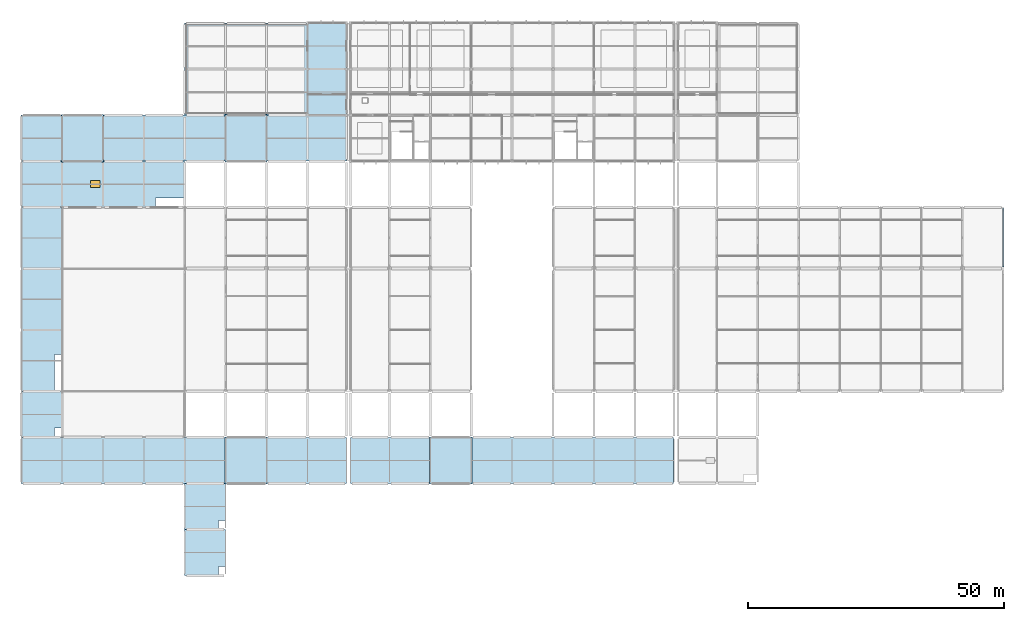
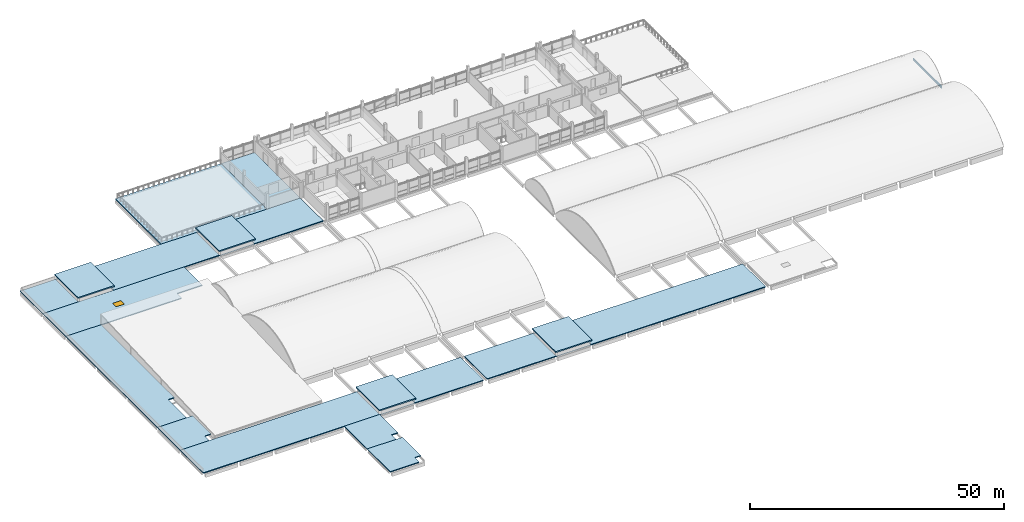
# One storey, part 42 of 57: 14 slabs, 1 beam, 1 window, 1 opening.
"""IFC4 building model written with IfcOpenShell, lengths in metres."""

import ifcopenshell
import ifcopenshell.guid

model = None  # the IFC model being written
_history = None  # IfcOwnerHistory: only IFC2X3 demands one
_inside = {}  # id of a spatial element -> (the spatial element, [elements in it])
_under = {}  # id of a project, library or spatial element -> (it, [spatial elements below it])
_declared = {}  # id of a project -> (the project, [libraries it declares])
_typed = {}  # id of a type object -> (the type object, [elements of that type])
_made_of = {}  # id of a material, layer set ... -> (it, [elements and type objects made of it])


def new_model(schema):
    """Start an empty IFC model of exactly this schema.

    Asked for "IFC4X3", IfcOpenShell would pick the latest addendum, in which some entities
    have other attributes; the version numbers below select the first issue.
    IFC2X3 requires an IfcOwnerHistory on every rooted entity: one is made here for all.
    """
    global model, _history
    if schema == "IFC4X3":
        model = ifcopenshell.file(schema_version=(4, 3, 0, 0))
    else:
        model = ifcopenshell.file(schema=schema)
    _inside.clear()
    _under.clear()
    _declared.clear()
    _typed.clear()
    _made_of.clear()
    _history = None
    if model.schema == "IFC2X3":
        org = make("IfcOrganization", Name="unknown")
        user = make(
            "IfcPersonAndOrganization",
            ThePerson=make("IfcPerson", FamilyName="unknown"),
            TheOrganization=org,
        )
        app = make(
            "IfcApplication",
            ApplicationDeveloper=org,
            Version="unknown",
            ApplicationFullName="unknown",
            ApplicationIdentifier="unknown",
        )
        _history = make(
            "IfcOwnerHistory",
            OwningUser=user,
            OwningApplication=app,
            ChangeAction="ADDED",
            CreationDate=0,
        )
    return model


def make(cls, **values):
    """One entity of the class cls with the attributes given. An attribute that is None is left unset."""
    return model.create_entity(
        cls, **{name: value for name, value in values.items() if value is not None}
    )


def rooted(cls, **values):
    """An entity with a GlobalId (a new one), such as an element, a storey or a relation."""
    return make(cls, GlobalId=ifcopenshell.guid.new(), OwnerHistory=_history, **values)


def si_unit(unit_type, name, prefix=None):
    """IfcSIUnit, for example si_unit("LENGTHUNIT", "METRE", prefix="MILLI")."""
    return make("IfcSIUnit", UnitType=unit_type, Prefix=prefix, Name=name)


def assignment(units):
    """IfcUnitAssignment: the units of a project."""
    return None if units is None else make("IfcUnitAssignment", Units=units)


def point(xyz):
    """IfcCartesianPoint."""
    return None if xyz is None else make("IfcCartesianPoint", Coordinates=xyz)


def direction(xyz):
    """IfcDirection."""
    return None if xyz is None else make("IfcDirection", DirectionRatios=xyz)


def frame(location, z_axis=None, x_axis=None):
    """IfcAxis2Placement3D, a coordinate frame: its origin and axes. An axis left out is left unset."""
    return make(
        "IfcAxis2Placement3D",
        Location=point(location),
        Axis=direction(z_axis),
        RefDirection=direction(x_axis),
    )


def frame_2d(location, x_axis=None):
    """IfcAxis2Placement2D, a coordinate frame in the plane: its origin and x axis."""
    return make(
        "IfcAxis2Placement2D", Location=point(location), RefDirection=direction(x_axis)
    )


def origin():
    """The frame at (0, 0, 0) with its axes left unset."""
    return frame((0.0, 0.0, 0.0))


def origin_2d():
    """The frame at (0, 0) in the plane with its x axis left unset."""
    return frame_2d((0.0, 0.0))


def place(relative_to, where):
    """IfcLocalPlacement: puts the frame where relative to a parent placement (None: the world)."""
    return make(
        "IfcLocalPlacement", PlacementRelTo=relative_to, RelativePlacement=where
    )


def context(
    kind, dimensions, precision=None, world=None, true_north=None, identifier=None
):
    """IfcGeometricRepresentationContext, for example the 3D "Model" context."""
    return make(
        "IfcGeometricRepresentationContext",
        ContextIdentifier=identifier,
        ContextType=kind,
        CoordinateSpaceDimension=dimensions,
        Precision=precision,
        WorldCoordinateSystem=world,
        TrueNorth=true_north,
    )


def subcontext(parent, identifier, kind, view, scale=None):
    """IfcGeometricRepresentationSubContext, for example "Body" below "Model"."""
    return make(
        "IfcGeometricRepresentationSubContext",
        ContextIdentifier=identifier,
        ContextType=kind,
        ParentContext=parent,
        TargetScale=scale,
        TargetView=view,
    )


def project(units=None, contexts=None):
    """IfcProject with its units and contexts."""
    return rooted(
        "IfcProject",
        Name="project",
        RepresentationContexts=contexts,
        UnitsInContext=assignment(units),
    )


def spatial(cls, under=None, at=None, **own):
    """A site, building, storey or space (cls), placed at a placement, below another one or the project."""
    s = rooted(cls, ObjectPlacement=at, **own)
    if under is not None:
        _under.setdefault(under.id(), (under, []))[1].append(s)
    return s


def polyline(points):
    """IfcPolyline through the points."""
    return make("IfcPolyline", Points=[point(p) for p in points])


def profile(cls, at=None, kind="AREA", **sizes):
    """A parametric profile (cls). Its sizes go by their IFC names, for example OverallWidth=200.0."""
    return make(cls, ProfileType=kind, Position=at, **sizes)


def rectangle(**sizes):
    """IfcRectangleProfileDef."""
    return profile("IfcRectangleProfileDef", **sizes)


def i_section(**sizes):
    """IfcIShapeProfileDef."""
    return profile("IfcIShapeProfileDef", **sizes)


def outline(outer, holes=None, kind="AREA"):
    """IfcArbitraryClosedProfileDef: a profile drawn as a closed curve; with holes, ...WithVoids."""
    if holes is None:
        return make("IfcArbitraryClosedProfileDef", ProfileType=kind, OuterCurve=outer)
    return make(
        "IfcArbitraryProfileDefWithVoids",
        ProfileType=kind,
        OuterCurve=outer,
        InnerCurves=holes,
    )


def extrude(swept, where, along, depth):
    """IfcExtrudedAreaSolid: the profile swept, set in the frame where, extruded along a direction by depth."""
    return make(
        "IfcExtrudedAreaSolid",
        SweptArea=swept,
        Position=where,
        ExtrudedDirection=direction(along),
        Depth=depth,
    )


def shape(context_of_items, identifier, shape_type, items):
    """IfcShapeRepresentation: the items that make up one representation, for example the "Body"."""
    return make(
        "IfcShapeRepresentation",
        ContextOfItems=context_of_items,
        RepresentationIdentifier=identifier,
        RepresentationType=shape_type,
        Items=items,
    )


def material(Name=None, Category=None):
    """IfcMaterial."""
    return make("IfcMaterial", Name=Name, Category=Category)


def layer(
    of_material, thickness, ventilated=None, Name=None, Category=None, Priority=None
):
    """IfcMaterialLayer: one layer of a wall or slab, of a material (None: an air gap)."""
    return make(
        "IfcMaterialLayer",
        Material=of_material,
        LayerThickness=thickness,
        IsVentilated=ventilated,
        Name=Name,
        Category=Category,
        Priority=Priority,
    )


def layer_set(layers, Name=None):
    """IfcMaterialLayerSet."""
    return make("IfcMaterialLayerSet", MaterialLayers=layers, LayerSetName=Name)


def material_profile(
    of_material, cross_section, Name=None, Category=None, Priority=None
):
    """IfcMaterialProfile: a cross section and its material."""
    return make(
        "IfcMaterialProfile",
        Name=Name,
        Material=of_material,
        Profile=cross_section,
        Priority=Priority,
        Category=Category,
    )


def profile_set(profiles, Name=None, composite=None):
    """IfcMaterialProfileSet."""
    return make(
        "IfcMaterialProfileSet",
        Name=Name,
        MaterialProfiles=profiles,
        CompositeProfile=composite,
    )


def made_of(thing, what):
    """Note that an element or type object is made of a material, layer set ...; save() writes the relation."""
    if what is not None:
        _made_of.setdefault(what.id(), (what, []))[1].append(thing)
    return thing


def type_object(cls, material=None, **own):
    """A type object (cls), such as IfcWallType, which elements share."""
    return made_of(rooted(cls, **own), material)


def element(
    cls,
    number,
    at=None,
    inside=None,
    cuts=None,
    type_object=None,
    material=None,
    context=None,
    identifier="Body",
    shape_type=None,
    held_by="IfcProductDefinitionShape",
    body=None,
    shapes=None,
    **own,
):
    """One element of the class cls, such as IfcWall. Its Tag is "e" and its number.

    at: its placement. inside: the storey or other place that contains it. cuts: it is an
    opening in that element (IfcRelVoidsElement). A single representation is given by context,
    identifier, shape_type and body (its items); several are given by shapes. held_by: the class
    of the entity that holds the representations. save() writes the other relations.
    """
    e = rooted(cls, Tag="e%d" % number, ObjectPlacement=at, **own)
    if body is not None:
        shapes = [shape(context, identifier, shape_type, body)]
    if shapes is not None:
        e.Representation = make(held_by, Representations=shapes)
    if inside is not None:
        _inside.setdefault(inside.id(), (inside, []))[1].append(e)
    if cuts is not None:
        rooted(
            "IfcRelVoidsElement", RelatingBuildingElement=cuts, RelatedOpeningElement=e
        )
    if type_object is not None:
        _typed.setdefault(type_object.id(), (type_object, []))[1].append(e)
    return made_of(e, material)


def fill(opening, filler):
    """IfcRelFillsElement: the door or window that sits in an opening."""
    return rooted(
        "IfcRelFillsElement",
        RelatingOpeningElement=opening,
        RelatedBuildingElement=filler,
    )


def aggregate(whole, parts):
    """IfcRelAggregates: a whole, such as a stair, and the parts it consists of."""
    return rooted("IfcRelAggregates", RelatingObject=whole, RelatedObjects=parts)


def save(model, path):
    """Write the relations noted so far, then the file.

    IfcRelAggregates (storeys below a building ...), IfcRelContainedInSpatialStructure (elements
    in a storey), IfcRelDefinesByType, IfcRelAssociatesMaterial and IfcRelDeclares: one each for
    every whole, place, type object, material and project.
    """
    for whole, parts in _under.values():
        aggregate(whole, parts)
    for where, things in _inside.values():
        rooted(
            "IfcRelContainedInSpatialStructure",
            RelatedElements=things,
            RelatingStructure=where,
        )
    for kind, things in _typed.values():
        rooted("IfcRelDefinesByType", RelatedObjects=things, RelatingType=kind)
    for what, things in _made_of.values():
        rooted("IfcRelAssociatesMaterial", RelatedObjects=things, RelatingMaterial=what)
    for by, libraries in _declared.values():
        rooted("IfcRelDeclares", RelatingContext=by, RelatedDefinitions=libraries)
    model.write(path)


model = new_model("IFC4")

# Units and contexts
model_context = context("Model", 3, precision=1e-05, world=origin(), true_north=direction((0.0, 1.0)))
body_context = subcontext(model_context, "Body", "Model", "MODEL_VIEW")
ifc_project = project(units=[si_unit("LENGTHUNIT", "METRE"), si_unit("AREAUNIT", "SQUARE_METRE"), si_unit("VOLUMEUNIT", "CUBIC_METRE"), si_unit("PLANEANGLEUNIT", "RADIAN"), si_unit("MASSUNIT", "GRAM", prefix="KILO"), si_unit("THERMODYNAMICTEMPERATUREUNIT", "KELVIN"), si_unit("POWERUNIT", "WATT")], contexts=[model_context])

# Site, building, storey
site_placement = place(None, origin())
site = spatial("IfcSite", under=ifc_project, at=site_placement, CompositionType="ELEMENT")
building_placement = place(site_placement, origin())
building = spatial("IfcBuilding", under=site, at=building_placement, Name="Kronsvod Quay Wholesale Market", CompositionType="ELEMENT")
storey_placement = place(building_placement, frame((0.0, 0.0, 13.199951171875)))
storey = spatial("IfcBuildingStorey", under=building, at=storey_placement, Name="L03", CompositionType="ELEMENT", Elevation=13.199951171875)

# Beam
ifc_material_1 = material(Name="Steel S355", Category="steel")
ifc_material_profile = material_profile(ifc_material_1, i_section(OverallWidth=0.198974609375, OverallDepth=0.49609375, WebThickness=0.009033203125, FlangeThickness=0.013916015625, FilletRadius=0.02001953125, at=origin_2d()), Name="50B1")
ifc_profile_set = profile_set([ifc_material_profile], Name="Steel S355")
beam_type = type_object("IfcBeamType", Name="Girder_Steel50B1", PredefinedType="T_BEAM", material=ifc_profile_set)
beam_placement = place(storey_placement, frame((192.0, 78.375, -0.468017578125), z_axis=(0.0, 1.0, 0.0), x_axis=(-1.0, 0.0, 0.0)))
element("IfcBeam", 1, at=beam_placement, inside=storey, type_object=beam_type, Name="BMY-L03-1920-780", PredefinedType="T_BEAM", context=body_context, shape_type="SweptSolid", body=[
    extrude(i_section(OverallWidth=0.198974609375, OverallDepth=0.49609375, WebThickness=0.009033203125, FlangeThickness=0.013916015625, FilletRadius=0.02001953125, at=origin_2d()), origin(), (0.0, 0.0, 1.0), 11.27490234375),
])

# Slabs
ifc_material_2 = material(Name="Precast concrete C40/50", Category="concrete")
ifc_layer_1 = layer(ifc_material_2, 0.219970703125)
ifc_layer_set_1 = layer_set([ifc_layer_1], Name="Precast concrete C40/50")
slab_type_1 = type_object("IfcSlabType", Name="Slab_FlatRoof220", PredefinedType="ROOF", material=ifc_layer_set_1)
slab_1_placement = place(storey_placement, frame((0.0, 0.0, -0.219970703125)))
element("IfcSlab", 2, at=slab_1_placement, inside=storey, type_object=slab_type_1, Name="SLB-L03-142", PredefinedType="ROOF", context=body_context, shape_type="SweptSolid", body=[
    extrude(outline(polyline([(32.0, 18.0), (38.56005859375, 18.0), (38.56005859375, 19.800048828125), (40.0, 19.800048828125), (40.0, 27.0), (32.0, 27.0), (32.0, 18.0)])), origin(), (0.0, 0.0, 1.0), 0.219970703125),
])
slab_2_placement = place(storey_placement, frame((0.0, 0.0, -0.219970703125)))
element("IfcSlab", 3, at=slab_2_placement, inside=storey, type_object=slab_type_1, Name="SLB-L03-143", PredefinedType="ROOF", context=body_context, shape_type="SweptSolid", body=[
    extrude(outline(polyline([(32.0, 27.0), (38.56005859375, 27.0), (38.56005859375, 28.800048828125), (40.0, 28.800048828125), (40.0, 36.0), (32.0, 36.0), (32.0, 27.0)])), origin(), (0.0, 0.0, 1.0), 0.219970703125),
])
slab_3_placement = place(storey_placement, frame((0.0, 0.0, -0.219970703125)))
element("IfcSlab", 4, at=slab_3_placement, inside=storey, type_object=slab_type_1, Name="SLB-L03-144", PredefinedType="ROOF", context=body_context, shape_type="SweptSolid", body=[
    extrude(outline(polyline([(0.0, 36.0), (63.580078125, 36.0), (63.580078125, 45.0), (0.0, 45.0), (0.0, 36.0)]), holes=[polyline([(40.02001953125, 36.02001953125), (47.97998046875, 36.02001953125), (47.97998046875, 44.97998046875), (40.02001953125, 44.97998046875), (40.02001953125, 36.02001953125)])]), origin(), (0.0, 0.0, 1.0), 0.219970703125),
])
slab_4_placement = place(storey_placement, frame((0.0, 0.0, -0.219970703125)))
element("IfcSlab", 5, at=slab_4_placement, inside=storey, type_object=slab_type_1, Name="SLB-L03-145", PredefinedType="ROOF", context=body_context, shape_type="SweptSolid", body=[
    extrude(outline(polyline([(0.0, 45.0), (6.56005859375, 45.0), (6.56005859375, 46.800048828125), (8.0, 46.800048828125), (8.0, 54.0), (0.0, 54.0), (0.0, 45.0)])), origin(), (0.0, 0.0, 1.0), 0.219970703125),
])
slab_5_placement = place(storey_placement, frame((0.0, 0.0, -0.219970703125)))
element("IfcSlab", 6, at=slab_5_placement, inside=storey, type_object=slab_type_1, Name="SLB-L03-146", PredefinedType="ROOF", context=body_context, shape_type="SweptSolid", body=[
    extrude(outline(polyline([(0.0, 54.0), (6.56005859375, 54.0), (6.56005859375, 61.199951171875), (8.0, 61.199951171875), (8.0, 90.0), (0.0, 90.0), (0.0, 54.0)])), origin(), (0.0, 0.0, 1.0), 0.219970703125),
])

# Slab, opening, window
slab_6_placement = place(storey_placement, frame((0.0, 0.0, -0.219970703125)))
slab_6 = element("IfcSlab", 7, at=slab_6_placement, inside=storey, type_object=slab_type_1, Name="SLB-L03-147", PredefinedType="ROOF", context=body_context, shape_type="SweptSolid", body=[
    extrude(outline(polyline([(0.0, 90.0), (26.239990234375, 90.0), (26.239990234375, 91.800048828125), (32.0, 91.800048828125), (32.0, 99.0), (0.0, 99.0), (0.0, 90.0)])), origin(), (0.0, 0.0, 1.0), 0.219970703125),
])
opening_placement = place(slab_6_placement, frame((14.5, 94.5, 0.0)))
opening = element("IfcOpeningElement", 8, at=opening_placement, cuts=slab_6, Name="Opening SKY-07", PredefinedType="OPENING", context=body_context, shape_type="SweptSolid", body=[
    extrude(rectangle(XDim=1.89990234375, YDim=1.35009765625, at=origin_2d()), frame((0.0, 0.0, -0.010009765625)), (0.0, 0.0, 1.0), 0.239990234375),
])
ifc_material_3 = material(Name="Thermally broken aluminium and triple low-E glazing", Category="aluminium")
window_type = type_object("IfcWindowType", Name="Skylight_Daylight190x135", PartitioningType="SINGLE_PANEL", PredefinedType="SKYLIGHT", material=ifc_material_3)
window_placement = place(opening_placement, frame((0.0, 0.0, 0.169921875)))
window = element("IfcWindow", 9, at=window_placement, inside=storey, type_object=window_type, Name="SKY-07", OverallHeight=1.35009765625, OverallWidth=1.89990234375, PartitioningType="SINGLE_PANEL", PredefinedType="SKYLIGHT", context=body_context, shape_type="SweptSolid", body=[
    extrude(rectangle(XDim=1.89990234375, YDim=1.35009765625, at=origin_2d()), origin(), (0.0, 0.0, 1.0), 0.050048828125),
])
fill(opening, window)

# Slabs
slab_7_placement = place(storey_placement, frame((0.0, 0.0, -0.219970703125)))
element("IfcSlab", 10, at=slab_7_placement, inside=storey, type_object=slab_type_1, Name="SLB-L03-148", PredefinedType="ROOF", context=body_context, shape_type="SweptSolid", body=[
    extrude(outline(polyline([(0.0, 99.0), (63.580078125, 99.0), (63.580078125, 108.0), (0.0, 108.0), (0.0, 99.0)]), holes=[polyline([(8.02001953125, 99.02001953125), (15.97998046875, 99.02001953125), (15.97998046875, 107.97998046875), (8.02001953125, 107.97998046875), (8.02001953125, 99.02001953125)]), polyline([(40.02001953125, 99.02001953125), (47.97998046875, 99.02001953125), (47.97998046875, 107.97998046875), (40.02001953125, 107.97998046875), (40.02001953125, 99.02001953125)])]), origin(), (0.0, 0.0, 1.0), 0.219970703125),
])
slab_8_placement = place(storey_placement, frame((0.0, 0.0, -0.219970703125)))
element("IfcSlab", 11, at=slab_8_placement, inside=storey, type_object=slab_type_1, Name="SLB-L03-151", PredefinedType="ROOF", context=body_context, shape_type="SweptSolid", body=[
    extrude(outline(polyline([(64.419921875, 36.0), (127.580078125, 36.0), (127.580078125, 45.0), (64.419921875, 45.0), (64.419921875, 36.0)]), holes=[polyline([(80.02001953125, 36.02001953125), (87.97998046875, 36.02001953125), (87.97998046875, 44.97998046875), (80.02001953125, 44.97998046875), (80.02001953125, 36.02001953125)])]), origin(), (0.0, 0.0, 1.0), 0.219970703125),
])
ifc_material_4 = material(Name="Concrete C35/45", Category="concrete")
ifc_layer_2 = layer(ifc_material_4, 0.25)
ifc_layer_set_2 = layer_set([ifc_layer_2], Name="Concrete C35/45")
slab_type_2 = type_object("IfcSlabType", Name="Slab_Floor250", PredefinedType="FLOOR", material=ifc_layer_set_2)
slab_9_placement = place(storey_placement, frame((0.0, 0.0, -0.25)))
element("IfcSlab", 12, at=slab_9_placement, inside=storey, type_object=slab_type_2, Name="SLB-L03-150", PredefinedType="FLOOR", context=body_context, shape_type="SweptSolid", body=[
    extrude(outline(polyline([(56.0, 108.0), (63.580078125, 108.0), (63.580078125, 126.0), (56.0, 126.0), (56.0, 108.0)])), origin(), (0.0, 0.0, 1.0), 0.25),
])
ifc_material_5 = material(Name="Concrete C35/45", Category="concrete")
ifc_layer_3 = layer(ifc_material_5, 0.31005859375)
ifc_layer_set_3 = layer_set([ifc_layer_3], Name="Concrete C35/45")
slab_type_3 = type_object("IfcSlabType", Name="Slab_GardenDeck310", PredefinedType="FLOOR", material=ifc_layer_set_3)
slab_10_placement = place(storey_placement, frame((0.0, 0.0, -0.31005859375)))
element("IfcSlab", 13, at=slab_10_placement, inside=storey, type_object=slab_type_3, Name="SLB-L03-149", PredefinedType="FLOOR", context=body_context, shape_type="SweptSolid", body=[
    extrude(outline(polyline([(32.0, 108.0), (56.0, 108.0), (56.0, 126.0), (32.0, 126.0), (32.0, 108.0)])), origin(), (0.0, 0.0, 1.0), 0.31005859375),
])
ifc_material_6 = material(Name="Concrete C35/45", Category="concrete")
ifc_layer_4 = layer(ifc_material_6, 0.284912109375)
ifc_layer_set_4 = layer_set([ifc_layer_4], Name="Concrete C35/45")
slab_type_4 = type_object("IfcSlabType", Name="Slab_OverrunRoof285", PredefinedType="ROOF", material=ifc_layer_set_4)
slab_11_placement = place(storey_placement, frame((0.0, 0.0, 0.864990234375)))
element("IfcSlab", 14, at=slab_11_placement, inside=storey, type_object=slab_type_4, Name="SLB-OR-C02", PredefinedType="ROOF", context=body_context, shape_type="SweptSolid", body=[
    extrude(outline(polyline([(7.8798828125, 98.8798828125), (16.1201171875, 98.8798828125), (16.1201171875, 108.1201171875), (7.8798828125, 108.1201171875), (7.8798828125, 98.8798828125)])), origin(), (0.0, 0.0, 1.0), 0.28515625),
])
slab_12_placement = place(storey_placement, frame((0.0, 0.0, 0.864990234375)))
element("IfcSlab", 15, at=slab_12_placement, inside=storey, type_object=slab_type_4, Name="SLB-OR-C03", PredefinedType="ROOF", context=body_context, shape_type="SweptSolid", body=[
    extrude(outline(polyline([(39.8798828125, 35.8798828125), (48.1201171875, 35.8798828125), (48.1201171875, 45.1201171875), (39.8798828125, 45.1201171875), (39.8798828125, 35.8798828125)])), origin(), (0.0, 0.0, 1.0), 0.28515625),
])
slab_13_placement = place(storey_placement, frame((0.0, 0.0, 0.864990234375)))
element("IfcSlab", 16, at=slab_13_placement, inside=storey, type_object=slab_type_4, Name="SLB-OR-C04", PredefinedType="ROOF", context=body_context, shape_type="SweptSolid", body=[
    extrude(outline(polyline([(79.8798828125, 35.8798828125), (88.1201171875, 35.8798828125), (88.1201171875, 45.1201171875), (79.8798828125, 45.1201171875), (79.8798828125, 35.8798828125)])), origin(), (0.0, 0.0, 1.0), 0.28515625),
])
slab_14_placement = place(storey_placement, frame((0.0, 0.0, 0.864990234375)))
element("IfcSlab", 17, at=slab_14_placement, inside=storey, type_object=slab_type_4, Name="SLB-OR-C07", PredefinedType="ROOF", context=body_context, shape_type="SweptSolid", body=[
    extrude(outline(polyline([(39.8798828125, 98.8798828125), (48.1201171875, 98.8798828125), (48.1201171875, 108.1201171875), (39.8798828125, 108.1201171875), (39.8798828125, 98.8798828125)])), origin(), (0.0, 0.0, 1.0), 0.28515625),
])

save(model, "model.ifc")
